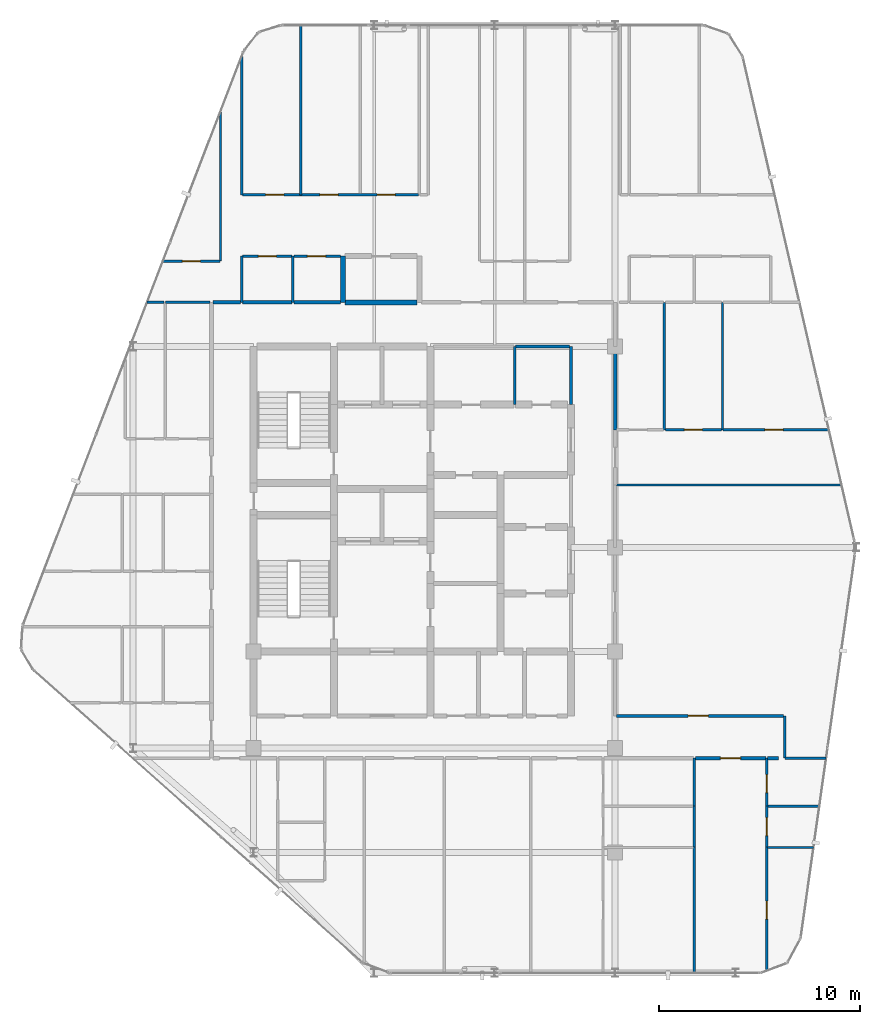
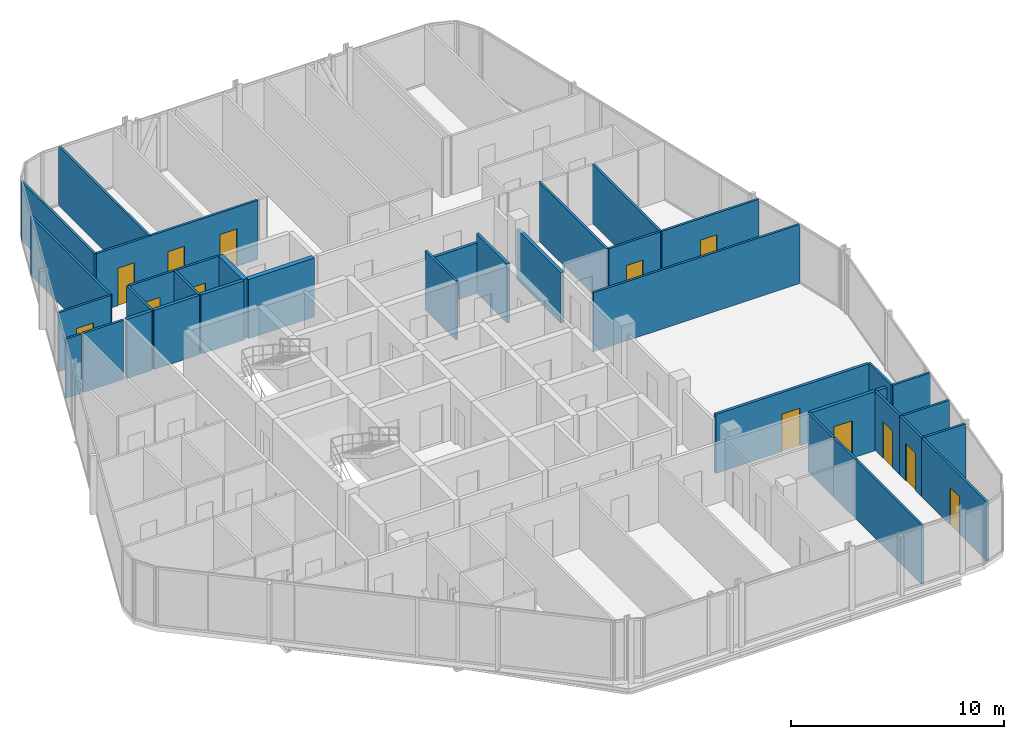
# One storey, part 25 of 27: 38 walls, 13 doors, 13 openings.
"""IFC4 building model written with IfcOpenShell, lengths in metres."""

from ifc_helpers import new_model, si_unit, direction, frame, frame_2d, origin, place, context, subcontext, project, spatial, rectangle, extrude, material, layer, layer_set, type_object, element, fill, save


model = new_model("IFC4")

# Units and contexts
model_context = context("Model", 3, precision=1e-05, world=origin(), true_north=direction((0.0, 1.0)))
body_context = subcontext(model_context, "Body", "Model", "MODEL_VIEW")
ifc_project = project(units=[si_unit("LENGTHUNIT", "METRE"), si_unit("AREAUNIT", "SQUARE_METRE"), si_unit("VOLUMEUNIT", "CUBIC_METRE"), si_unit("PLANEANGLEUNIT", "RADIAN"), si_unit("MASSUNIT", "GRAM", prefix="KILO")], contexts=[model_context])

# Site, building, storey
site_placement = place(None, origin())
site = spatial("IfcSite", under=ifc_project, at=site_placement, CompositionType="ELEMENT")
building_placement = place(site_placement, origin())
building = spatial("IfcBuilding", under=site, at=building_placement, Name="Keshet Zoharim Tower", CompositionType="ELEMENT")
storey_placement = place(building_placement, frame((0.0, 0.0, 273.199951171875)))
storey = spatial("IfcBuildingStorey", under=building, at=storey_placement, Name="L68", CompositionType="ELEMENT", Elevation=273.199951171875)

# Wall
ifc_material_1 = material(Name="Gypsum Plasterboard", Category="gypsum")
ifc_layer_1 = layer(ifc_material_1, 0.14990234375)
ifc_layer_set_1 = layer_set([ifc_layer_1], Name="Gypsum Plasterboard")
wall_type_1 = type_object("IfcWallType", Name="WL-CLIN-150", PredefinedType="STANDARD", material=ifc_layer_set_1)
wall_1_placement = place(storey_placement, frame((30.800048828125, 35.0, 0.0), z_axis=(0.0, 0.0, 1.0), x_axis=(0.0, 1.0, 0.0)))
element("IfcWall", 1, at=wall_1_placement, inside=storey, type_object=wall_type_1, Name="L68 Interior Wall 064", PredefinedType="STANDARD", context=body_context, shape_type="SweptSolid", body=[
    extrude(rectangle(XDim=2.89990234375, YDim=0.14990234375, at=frame_2d((1.449951171875, 0.0))), origin(), (0.0, 0.0, 1.0), 3.39013671875),
])

# Wall, opening, door
wall_2_placement = place(storey_placement, frame((33.06005859375, 19.5, 0.0), z_axis=(0.0, 0.0, 1.0), x_axis=(1.0, 0.0, 0.0)))
wall_2 = element("IfcWall", 2, at=wall_2_placement, inside=storey, type_object=wall_type_1, Name="L68 Interior Wall 107", PredefinedType="STANDARD", context=body_context, shape_type="SweptSolid", body=[
    extrude(rectangle(XDim=8.322998046875, YDim=0.14990234375, at=frame_2d((4.16162109375, 0.0))), origin(), (0.0, 0.0, 1.0), 3.39013671875),
])
opening_1_placement = place(wall_2_placement, frame((3.5830078125, 0.0, 0.0)))
opening_1 = element("IfcOpeningElement", 3, at=opening_1_placement, cuts=wall_2, Name="Opening D-F310", PredefinedType="OPENING", context=body_context, shape_type="SweptSolid", body=[
    extrude(rectangle(XDim=1.0, YDim=2.14990234375, at=frame_2d((0.5, 1.074951171875))), frame((0.0, 0.0849609375, 0.0), z_axis=(0.0, -1.0, 0.0), x_axis=(1.0, 0.0, 0.0)), (0.0, 0.0, 1.0), 0.169921875),
])
ifc_material_2 = material(Name="Hardwood Timber", Category="wood")
door_type_1 = type_object("IfcDoorType", Name="DR-FD30-100", OperationType="NOTDEFINED", PredefinedType="DOOR", material=ifc_material_2)
door_1_placement = place(opening_1_placement, origin())
door_1 = element("IfcDoor", 4, at=door_1_placement, inside=storey, type_object=door_type_1, Name="L68 South West Residents Services Suite Door 2", OperationType="SINGLE_SWING_LEFT", OverallHeight=2.14990234375, OverallWidth=1.0, PredefinedType="DOOR", context=body_context, shape_type="SweptSolid", body=[
    extrude(rectangle(XDim=1.0, YDim=2.14990234375, at=frame_2d((0.5, 1.074951171875))), frame((0.0, 0.02490234375, 0.0), z_axis=(0.0, -1.0, 0.0), x_axis=(1.0, 0.0, 0.0)), (0.0, 0.0, 1.0), 0.050048828125),
])
fill(opening_1, door_1)

# Walls
wall_3_placement = place(storey_placement, frame((28.044921875, 37.89990234375, 0.0), z_axis=(0.0, 0.0, 1.0), x_axis=(1.0, 0.0, 0.0)))
element("IfcWall", 5, at=wall_3_placement, inside=storey, type_object=wall_type_1, Name="L68 Interior Wall 147", PredefinedType="STANDARD", context=body_context, shape_type="SweptSolid", body=[
    extrude(rectangle(XDim=2.695068359375, YDim=0.14990234375, at=frame_2d((1.34765625, 0.0))), origin(), (0.0, 0.0, 1.0), 2.89013671875),
])
ifc_layer_2 = layer(ifc_material_1, 0.179931640625)
ifc_layer_set_2 = layer_set([ifc_layer_2], Name="Gypsum Plasterboard")
wall_type_2 = type_object("IfcWallType", Name="WL-CORR-180", PredefinedType="STANDARD", material=ifc_layer_set_2)
wall_4_placement = place(storey_placement, frame((33.0, 33.75, 0.0), z_axis=(0.0, 0.0, 1.0), x_axis=(0.0, 1.0, 0.0)))
element("IfcWall", 6, at=wall_4_placement, inside=storey, type_object=wall_type_2, Name="L68 Interior Wall 070", PredefinedType="STANDARD", context=body_context, shape_type="SweptSolid", body=[
    extrude(rectangle(XDim=4.14990234375, YDim=0.179931640625, at=frame_2d((2.074951171875, 0.0))), origin(), (0.0, 0.0, 1.0), 2.89013671875),
])

# Wall, opening, door
wall_5_placement = place(storey_placement, frame((36.9951171875, 17.39990234375, 0.0), z_axis=(0.0, 0.0, 1.0), x_axis=(1.0, 0.0, 0.0)))
wall_5 = element("IfcWall", 7, at=wall_5_placement, inside=storey, type_object=wall_type_2, Name="L68 Interior Wall 100", PredefinedType="STANDARD", context=body_context, shape_type="SweptSolid", body=[
    extrude(rectangle(XDim=3.509765625, YDim=0.179931640625, at=frame_2d((1.7548828125, 0.0))), origin(), (0.0, 0.0, 1.0), 3.39013671875),
])
opening_2_placement = place(wall_5_placement, frame((1.2548828125, 0.0, 0.0)))
opening_2 = element("IfcOpeningElement", 8, at=opening_2_placement, cuts=wall_5, Name="Opening D-F310", PredefinedType="OPENING", context=body_context, shape_type="SweptSolid", body=[
    extrude(rectangle(XDim=1.0, YDim=2.14990234375, at=frame_2d((0.5, 1.074951171875))), frame((0.0, 0.10009765625, 0.0), z_axis=(0.0, -1.0, 0.0), x_axis=(1.0, 0.0, 0.0)), (0.0, 0.0, 1.0), 0.199951171875),
])
door_2_placement = place(opening_2_placement, origin())
door_2 = element("IfcDoor", 9, at=door_2_placement, inside=storey, type_object=door_type_1, Name="Apartment 6803 Entrance Door", OperationType="SINGLE_SWING_LEFT", OverallHeight=2.14990234375, OverallWidth=1.0, PredefinedType="DOOR", context=body_context, shape_type="SweptSolid", body=[
    extrude(rectangle(XDim=1.0, YDim=2.14990234375, at=frame_2d((0.5, 1.074951171875))), frame((0.0, 0.02490234375, 0.0), z_axis=(0.0, -1.0, 0.0), x_axis=(1.0, 0.0, 0.0)), (0.0, 0.0, 1.0), 0.050048828125),
])
fill(opening_2, door_2)

# Walls
wall_6_placement = place(storey_placement, frame((40.594970703125, 17.39990234375, 0.0), z_axis=(0.0, 0.0, 1.0), x_axis=(1.0, 0.0, 0.0)))
element("IfcWall", 10, at=wall_6_placement, inside=storey, type_object=wall_type_2, Name="L68 Interior Wall 101", PredefinedType="STANDARD", context=body_context, shape_type="SweptSolid", body=[
    extrude(rectangle(XDim=0.534912109375, YDim=0.179931640625, at=frame_2d((0.267578125, 0.0))), origin(), (0.0, 0.0, 1.0), 3.39013671875),
])
wall_7_placement = place(storey_placement, frame((12.97509765625, 40.10009765625, 0.0), z_axis=(0.0, 0.0, 1.0), x_axis=(1.0, 0.0, 0.0)))
element("IfcWall", 11, at=wall_7_placement, inside=storey, type_object=wall_type_2, Name="L68 Interior Wall 150", PredefinedType="STANDARD", context=body_context, shape_type="SweptSolid", body=[
    extrude(rectangle(XDim=1.3798828125, YDim=0.179931640625, at=frame_2d((0.68994140625, 0.0))), origin(), (0.0, 0.0, 1.0), 3.39013671875),
])
wall_8_placement = place(storey_placement, frame((14.445068359375, 40.10009765625, 0.0), z_axis=(0.0, 0.0, 1.0), x_axis=(1.0, 0.0, 0.0)))
element("IfcWall", 12, at=wall_8_placement, inside=storey, type_object=wall_type_2, Name="L68 Interior Wall 151", PredefinedType="STANDARD", context=body_context, shape_type="SweptSolid", body=[
    extrude(rectangle(XDim=2.475830078125, YDim=0.179931640625, at=frame_2d((1.23779296875, 0.0))), origin(), (0.0, 0.0, 1.0), 3.39013671875),
])
wall_9_placement = place(storey_placement, frame((17.010986328125, 40.10009765625, 0.0), z_axis=(0.0, 0.0, 1.0), x_axis=(1.0, 0.0, 0.0)))
element("IfcWall", 13, at=wall_9_placement, inside=storey, type_object=wall_type_2, Name="L68 Interior Wall 152", PredefinedType="STANDARD", context=body_context, shape_type="SweptSolid", body=[
    extrude(rectangle(XDim=2.322998046875, YDim=0.179931640625, at=frame_2d((1.16162109375, 0.0))), origin(), (0.0, 0.0, 1.0), 3.39013671875),
])
ifc_material_3 = material(Name="Concrete C50/60", Category="concrete")
ifc_layer_3 = layer(ifc_material_3, 0.25)
ifc_layer_set_3 = layer_set([ifc_layer_3], Name="Concrete C50/60")
wall_type_3 = type_object("IfcWallType", Name="WL-MAMAD-250", PredefinedType="STANDARD", material=ifc_layer_set_3)
wall_10_placement = place(storey_placement, frame((19.449951171875, 40.10009765625, 0.0), z_axis=(0.0, 0.0, 1.0), x_axis=(0.0, 1.0, 0.0)))
element("IfcWall", 14, at=wall_10_placement, inside=storey, type_object=wall_type_3, Name="L68 Interior Wall 031", PredefinedType="STANDARD", context=body_context, shape_type="SweptSolid", body=[
    extrude(rectangle(XDim=2.2998046875, YDim=0.25, at=frame_2d((1.14990234375, 0.0))), origin(), (0.0, 0.0, 1.0), 3.39013671875),
])
wall_11_placement = place(storey_placement, frame((19.553955078125, 40.10009765625, 0.0), z_axis=(0.0, 0.0, 1.0), x_axis=(1.0, 0.0, 0.0)))
element("IfcWall", 15, at=wall_11_placement, inside=storey, type_object=wall_type_3, Name="L68 Interior Wall 153", PredefinedType="STANDARD", context=body_context, shape_type="SweptSolid", body=[
    extrude(rectangle(XDim=3.5859375, YDim=0.25, at=frame_2d((1.79296875, 0.0))), origin(), (0.0, 0.0, 1.0), 3.39013671875),
])
ifc_layer_4 = layer(ifc_material_1, 0.1201171875)
ifc_layer_set_4 = layer_set([ifc_layer_4], Name="Gypsum Plasterboard")
wall_type_4 = type_object("IfcWallType", Name="WL-PART-120", PredefinedType="PARTITIONING", material=ifc_layer_set_4)
wall_12_placement = place(storey_placement, frame((13.35009765625, 42.14990234375, 0.0), z_axis=(0.0, 0.0, 1.0), x_axis=(0.0, 1.0, 0.0)))
element("IfcWall", 16, at=wall_12_placement, inside=storey, type_object=wall_type_4, Name="L68 Interior Wall 013", PredefinedType="PARTITIONING", context=body_context, shape_type="SweptSolid", body=[
    extrude(rectangle(XDim=7.4501953125, YDim=0.1201171875, at=frame_2d((3.72509765625, 0.0))), origin(), (0.0, 0.0, 1.0), 3.39013671875),
])
wall_13_placement = place(storey_placement, frame((14.39990234375, 40.10009765625, 0.0), z_axis=(0.0, 0.0, 1.0), x_axis=(0.0, 1.0, 0.0)))
element("IfcWall", 17, at=wall_13_placement, inside=storey, type_object=wall_type_4, Name="L68 Interior Wall 014", PredefinedType="PARTITIONING", context=body_context, shape_type="SweptSolid", body=[
    extrude(rectangle(XDim=2.2998046875, YDim=0.1201171875, at=frame_2d((1.14990234375, 0.0))), origin(), (0.0, 0.0, 1.0), 3.39013671875),
])
wall_14_placement = place(storey_placement, frame((14.39990234375, 45.449951171875, 0.0), z_axis=(0.0, 0.0, 1.0), x_axis=(0.0, 1.0, 0.0)))
element("IfcWall", 18, at=wall_14_placement, inside=storey, type_object=wall_type_4, Name="L68 Interior Wall 015", PredefinedType="PARTITIONING", context=body_context, shape_type="SweptSolid", body=[
    extrude(rectangle(XDim=6.880126953125, YDim=0.1201171875, at=frame_2d((3.43994140625, 0.0))), origin(), (0.0, 0.0, 1.0), 3.39013671875),
])
wall_15_placement = place(storey_placement, frame((17.35009765625, 45.449951171875, 0.0), z_axis=(0.0, 0.0, 1.0), x_axis=(0.0, 1.0, 0.0)))
element("IfcWall", 19, at=wall_15_placement, inside=storey, type_object=wall_type_4, Name="L68 Interior Wall 023", PredefinedType="PARTITIONING", context=body_context, shape_type="SweptSolid", body=[
    extrude(rectangle(XDim=8.43994140625, YDim=0.1201171875, at=frame_2d((4.219970703125, 0.0))), origin(), (0.0, 0.0, 1.0), 3.39013671875),
])
wall_16_placement = place(storey_placement, frame((28.0, 35.0, 0.0), z_axis=(0.0, 0.0, 1.0), x_axis=(0.0, 1.0, 0.0)))
element("IfcWall", 20, at=wall_16_placement, inside=storey, type_object=wall_type_4, Name="L68 Interior Wall 053", PredefinedType="PARTITIONING", context=body_context, shape_type="SweptSolid", body=[
    extrude(rectangle(XDim=2.89990234375, YDim=0.1201171875, at=frame_2d((1.449951171875, 0.0))), origin(), (0.0, 0.0, 1.0), 3.39013671875),
])
wall_17_placement = place(storey_placement, frame((36.949951171875, 6.7099609375, 0.0), z_axis=(0.0, 0.0, 1.0), x_axis=(0.0, 1.0, 0.0)))
element("IfcWall", 21, at=wall_17_placement, inside=storey, type_object=wall_type_4, Name="L68 Interior Wall 075", PredefinedType="PARTITIONING", context=body_context, shape_type="SweptSolid", body=[
    extrude(rectangle(XDim=6.260009765625, YDim=0.1201171875, at=frame_2d((3.1298828125, 0.0))), origin(), (0.0, 0.0, 1.0), 3.39013671875),
])
wall_18_placement = place(storey_placement, frame((36.949951171875, 12.969970703125, 0.0), z_axis=(0.0, 0.0, 1.0), x_axis=(0.0, 1.0, 0.0)))
element("IfcWall", 22, at=wall_18_placement, inside=storey, type_object=wall_type_4, Name="L68 Interior Wall 076", PredefinedType="PARTITIONING", context=body_context, shape_type="SweptSolid", body=[
    extrude(rectangle(XDim=2.0380859375, YDim=0.1201171875, at=frame_2d((1.01904296875, 0.0))), origin(), (0.0, 0.0, 1.0), 3.39013671875),
])

# Wall, opening, door
wall_19_placement = place(storey_placement, frame((40.550048828125, 6.81689453125, 0.0), z_axis=(0.0, 0.0, 1.0), x_axis=(0.0, 1.0, 0.0)))
wall_19 = element("IfcWall", 23, at=wall_19_placement, inside=storey, type_object=wall_type_4, Name="L68 Interior Wall 081", PredefinedType="PARTITIONING", context=body_context, shape_type="SweptSolid", body=[
    extrude(rectangle(XDim=6.153076171875, YDim=0.1201171875, at=frame_2d((3.07666015625, 0.0))), origin(), (0.0, 0.0, 1.0), 3.39013671875),
])
opening_3_placement = place(wall_19_placement, frame((2.56005859375, 0.0, 0.0)))
opening_3 = element("IfcOpeningElement", 24, at=opening_3_placement, cuts=wall_19, Name="Opening D-IN90", PredefinedType="OPENING", context=body_context, shape_type="SweptSolid", body=[
    extrude(rectangle(XDim=0.89990234375, YDim=2.14990234375, at=frame_2d((0.449951171875, 1.074951171875))), frame((0.0, 0.070068359375, 0.0), z_axis=(0.0, -1.0, 0.0), x_axis=(1.0, 0.0, 0.0)), (0.0, 0.0, 1.0), 0.14013671875),
])
door_type_2 = type_object("IfcDoorType", Name="DR-INT-090", OperationType="NOTDEFINED", PredefinedType="DOOR", material=ifc_material_2)
door_3_placement = place(opening_3_placement, origin())
door_3 = element("IfcDoor", 25, at=door_3_placement, inside=storey, type_object=door_type_2, Name="Apartment 6803 Bedroom 1 Door", OperationType="SINGLE_SWING_RIGHT", OverallHeight=2.14990234375, OverallWidth=0.89990234375, PredefinedType="DOOR", context=body_context, shape_type="SweptSolid", body=[
    extrude(rectangle(XDim=0.89990234375, YDim=2.14990234375, at=frame_2d((0.449951171875, 1.074951171875))), frame((0.0, 0.02490234375, 0.0), z_axis=(0.0, -1.0, 0.0), x_axis=(1.0, 0.0, 0.0)), (0.0, 0.0, 1.0), 0.050048828125),
])
fill(opening_3, door_3)

wall_20_placement = place(storey_placement, frame((40.550048828125, 12.969970703125, 0.0), z_axis=(0.0, 0.0, 1.0), x_axis=(0.0, 1.0, 0.0)))
wall_20 = element("IfcWall", 26, at=wall_20_placement, inside=storey, type_object=wall_type_4, Name="L68 Interior Wall 082", PredefinedType="PARTITIONING", context=body_context, shape_type="SweptSolid", body=[
    extrude(rectangle(XDim=2.0380859375, YDim=0.1201171875, at=frame_2d((1.01904296875, 0.0))), origin(), (0.0, 0.0, 1.0), 3.39013671875),
])
opening_4_placement = place(wall_20_placement, frame((0.569091796875, 0.0, 0.0)))
opening_4 = element("IfcOpeningElement", 27, at=opening_4_placement, cuts=wall_20, Name="Opening D-IN90", PredefinedType="OPENING", context=body_context, shape_type="SweptSolid", body=[
    extrude(rectangle(XDim=0.89990234375, YDim=2.14990234375, at=frame_2d((0.449951171875, 1.074951171875))), frame((0.0, 0.070068359375, 0.0), z_axis=(0.0, -1.0, 0.0), x_axis=(1.0, 0.0, 0.0)), (0.0, 0.0, 1.0), 0.14013671875),
])
door_4_placement = place(opening_4_placement, origin())
door_4 = element("IfcDoor", 28, at=door_4_placement, inside=storey, type_object=door_type_2, Name="Apartment 6803 Kitchen Door", OperationType="SINGLE_SWING_LEFT", OverallHeight=2.14990234375, OverallWidth=0.89990234375, PredefinedType="DOOR", context=body_context, shape_type="SweptSolid", body=[
    extrude(rectangle(XDim=0.89990234375, YDim=2.14990234375, at=frame_2d((0.449951171875, 1.074951171875))), frame((0.0, 0.02490234375, 0.0), z_axis=(0.0, -1.0, 0.0), x_axis=(1.0, 0.0, 0.0)), (0.0, 0.0, 1.0), 0.050048828125),
])
fill(opening_4, door_4)

# Walls
wall_21_placement = place(storey_placement, frame((41.449951171875, 17.39990234375, 0.0), z_axis=(0.0, 0.0, 1.0), x_axis=(0.0, 1.0, 0.0)))
element("IfcWall", 29, at=wall_21_placement, inside=storey, type_object=wall_type_4, Name="L68 Interior Wall 085", PredefinedType="PARTITIONING", context=body_context, shape_type="SweptSolid", body=[
    extrude(rectangle(XDim=2.09912109375, YDim=0.1201171875, at=frame_2d((1.049560546875, 0.0))), origin(), (0.0, 0.0, 1.0), 3.39013671875),
])
wall_22_placement = place(storey_placement, frame((40.594970703125, 12.949951171875, 0.0), z_axis=(0.0, 0.0, 1.0), x_axis=(1.0, 0.0, 0.0)))
element("IfcWall", 30, at=wall_22_placement, inside=storey, type_object=wall_type_4, Name="L68 Interior Wall 088", PredefinedType="PARTITIONING", context=body_context, shape_type="SweptSolid", body=[
    extrude(rectangle(XDim=2.279052734375, YDim=0.1201171875, at=frame_2d((1.1396484375, 0.0))), origin(), (0.0, 0.0, 1.0), 3.39013671875),
])
wall_23_placement = place(storey_placement, frame((33.074951171875, 31.0, 0.0), z_axis=(0.0, 0.0, 1.0), x_axis=(1.0, 0.0, 0.0)))
element("IfcWall", 31, at=wall_23_placement, inside=storey, type_object=wall_type_4, Name="L68 Interior Wall 132", PredefinedType="PARTITIONING", context=body_context, shape_type="SweptSolid", body=[
    extrude(rectangle(XDim=11.198974609375, YDim=0.1201171875, at=frame_2d((5.599609375, 0.0))), origin(), (0.0, 0.0, 1.0), 3.39013671875),
])

# Wall, opening, door
wall_24_placement = place(storey_placement, frame((38.383056640625, 33.75, 0.0), z_axis=(0.0, 0.0, 1.0), x_axis=(1.0, 0.0, 0.0)))
wall_24 = element("IfcWall", 32, at=wall_24_placement, inside=storey, type_object=wall_type_4, Name="L68 Interior Wall 140", PredefinedType="PARTITIONING", context=body_context, shape_type="SweptSolid", body=[
    extrude(rectangle(XDim=5.2568359375, YDim=0.1201171875, at=frame_2d((2.62841796875, 0.0))), origin(), (0.0, 0.0, 1.0), 3.39013671875),
])
opening_5_placement = place(wall_24_placement, frame((2.0810546875, 0.0, 0.0)))
opening_5 = element("IfcOpeningElement", 33, at=opening_5_placement, cuts=wall_24, Name="Opening D-IN90", PredefinedType="OPENING", context=body_context, shape_type="SweptSolid", body=[
    extrude(rectangle(XDim=0.89990234375, YDim=2.14990234375, at=frame_2d((0.449951171875, 1.074951171875))), frame((0.0, 0.070068359375, 0.0), z_axis=(0.0, -1.0, 0.0), x_axis=(1.0, 0.0, 0.0)), (0.0, 0.0, 1.0), 0.14013671875),
])
door_5_placement = place(opening_5_placement, origin())
door_5 = element("IfcDoor", 34, at=door_5_placement, inside=storey, type_object=door_type_2, Name="Apartment 6809 Bedroom 1 Door", OperationType="SINGLE_SWING_RIGHT", OverallHeight=2.14990234375, OverallWidth=0.89990234375, PredefinedType="DOOR", context=body_context, shape_type="SweptSolid", body=[
    extrude(rectangle(XDim=0.89990234375, YDim=2.14990234375, at=frame_2d((0.449951171875, 1.074951171875))), frame((0.0, 0.02490234375, 0.0), z_axis=(0.0, -1.0, 0.0), x_axis=(1.0, 0.0, 0.0)), (0.0, 0.0, 1.0), 0.050048828125),
])
fill(opening_5, door_5)

# Wall
wall_25_placement = place(storey_placement, frame((9.701904296875, 40.10009765625, 0.0), z_axis=(0.0, 0.0, 1.0), x_axis=(1.0, 0.0, 0.0)))
element("IfcWall", 35, at=wall_25_placement, inside=storey, type_object=wall_type_4, Name="L68 Interior Wall 148", PredefinedType="PARTITIONING", context=body_context, shape_type="SweptSolid", body=[
    extrude(rectangle(XDim=0.8310546875, YDim=0.1201171875, at=frame_2d((0.41552734375, 0.0))), origin(), (0.0, 0.0, 1.0), 3.39013671875),
])

# Wall, opening, door
wall_26_placement = place(storey_placement, frame((10.490966796875, 42.14990234375, 0.0), z_axis=(0.0, 0.0, 1.0), x_axis=(1.0, 0.0, 0.0)))
wall_26 = element("IfcWall", 36, at=wall_26_placement, inside=storey, type_object=wall_type_4, Name="L68 Interior Wall 161", PredefinedType="PARTITIONING", context=body_context, shape_type="SweptSolid", body=[
    extrude(rectangle(XDim=2.828125, YDim=0.1201171875, at=frame_2d((1.4140625, 0.0))), origin(), (0.0, 0.0, 1.0), 3.39013671875),
])
opening_6_placement = place(wall_26_placement, frame((0.962890625, 0.0, 0.0)))
opening_6 = element("IfcOpeningElement", 37, at=opening_6_placement, cuts=wall_26, Name="Opening D-IN90", PredefinedType="OPENING", context=body_context, shape_type="SweptSolid", body=[
    extrude(rectangle(XDim=0.89990234375, YDim=2.14990234375, at=frame_2d((0.449951171875, 1.074951171875))), frame((0.0, 0.070068359375, 0.0), z_axis=(0.0, -1.0, 0.0), x_axis=(1.0, 0.0, 0.0)), (0.0, 0.0, 1.0), 0.14013671875),
])
door_6_placement = place(opening_6_placement, origin())
door_6 = element("IfcDoor", 38, at=door_6_placement, inside=storey, type_object=door_type_2, Name="Apartment 6804 Home Study Room Door", OperationType="SINGLE_SWING_LEFT", OverallHeight=2.14990234375, OverallWidth=0.89990234375, PredefinedType="DOOR", context=body_context, shape_type="SweptSolid", body=[
    extrude(rectangle(XDim=0.89990234375, YDim=2.14990234375, at=frame_2d((0.449951171875, 1.074951171875))), frame((0.0, 0.02490234375, 0.0), z_axis=(0.0, -1.0, 0.0), x_axis=(1.0, 0.0, 0.0)), (0.0, 0.0, 1.0), 0.050048828125),
])
fill(opening_6, door_6)

wall_27_placement = place(storey_placement, frame((14.445068359375, 42.39990234375, 0.0), z_axis=(0.0, 0.0, 1.0), x_axis=(1.0, 0.0, 0.0)))
wall_27 = element("IfcWall", 39, at=wall_27_placement, inside=storey, type_object=wall_type_4, Name="L68 Interior Wall 163", PredefinedType="PARTITIONING", context=body_context, shape_type="SweptSolid", body=[
    extrude(rectangle(XDim=2.475830078125, YDim=0.1201171875, at=frame_2d((1.23779296875, 0.0))), origin(), (0.0, 0.0, 1.0), 3.39013671875),
])
opening_7_placement = place(wall_27_placement, frame((0.7880859375, 0.0, 0.0)))
opening_7 = element("IfcOpeningElement", 40, at=opening_7_placement, cuts=wall_27, Name="Opening D-IN90", PredefinedType="OPENING", context=body_context, shape_type="SweptSolid", body=[
    extrude(rectangle(XDim=0.89990234375, YDim=2.14990234375, at=frame_2d((0.449951171875, 1.074951171875))), frame((0.0, 0.070068359375, 0.0), z_axis=(0.0, -1.0, 0.0), x_axis=(1.0, 0.0, 0.0)), (0.0, 0.0, 1.0), 0.14013671875),
])
door_7_placement = place(opening_7_placement, origin())
door_7 = element("IfcDoor", 41, at=door_7_placement, inside=storey, type_object=door_type_2, Name="Apartment 6804 Kitchen Door", OperationType="SINGLE_SWING_RIGHT", OverallHeight=2.14990234375, OverallWidth=0.89990234375, PredefinedType="DOOR", context=body_context, shape_type="SweptSolid", body=[
    extrude(rectangle(XDim=0.89990234375, YDim=2.14990234375, at=frame_2d((0.449951171875, 1.074951171875))), frame((0.0, 0.02490234375, 0.0), z_axis=(0.0, -1.0, 0.0), x_axis=(1.0, 0.0, 0.0)), (0.0, 0.0, 1.0), 0.050048828125),
])
fill(opening_7, door_7)

# Wall, openings, doors
wall_28_placement = place(storey_placement, frame((14.445068359375, 45.449951171875, 0.0), z_axis=(0.0, 0.0, 1.0), x_axis=(1.0, 0.0, 0.0)))
wall_28 = element("IfcWall", 42, at=wall_28_placement, inside=storey, type_object=wall_type_4, Name="L68 Interior Wall 168", PredefinedType="PARTITIONING", context=body_context, shape_type="SweptSolid", body=[
    extrude(rectangle(XDim=8.760009765625, YDim=0.1201171875, at=frame_2d((4.3798828125, 0.0))), origin(), (0.0, 0.0, 1.0), 3.39013671875),
])
opening_8_placement = place(wall_28_placement, frame((1.155029296875, 0.0, 0.0)))
opening_8 = element("IfcOpeningElement", 43, at=opening_8_placement, cuts=wall_28, Name="Opening D-IN90", PredefinedType="OPENING", context=body_context, shape_type="SweptSolid", body=[
    extrude(rectangle(XDim=0.89990234375, YDim=2.14990234375, at=frame_2d((0.449951171875, 1.074951171875))), frame((0.0, 0.070068359375, 0.0), z_axis=(0.0, -1.0, 0.0), x_axis=(1.0, 0.0, 0.0)), (0.0, 0.0, 1.0), 0.14013671875),
])
opening_9_placement = place(wall_28_placement, frame((3.85888671875, 0.0, 0.0)))
opening_9 = element("IfcOpeningElement", 44, at=opening_9_placement, cuts=wall_28, Name="Opening D-IN90", PredefinedType="OPENING", context=body_context, shape_type="SweptSolid", body=[
    extrude(rectangle(XDim=0.89990234375, YDim=2.14990234375, at=frame_2d((0.449951171875, 1.074951171875))), frame((0.0, 0.070068359375, 0.0), z_axis=(0.0, -1.0, 0.0), x_axis=(1.0, 0.0, 0.0)), (0.0, 0.0, 1.0), 0.14013671875),
])
opening_10_placement = place(wall_28_placement, frame((6.705078125, 0.0, 0.0)))
opening_10 = element("IfcOpeningElement", 45, at=opening_10_placement, cuts=wall_28, Name="Opening D-IN90", PredefinedType="OPENING", context=body_context, shape_type="SweptSolid", body=[
    extrude(rectangle(XDim=0.89990234375, YDim=2.14990234375, at=frame_2d((0.449951171875, 1.074951171875))), frame((0.0, 0.070068359375, 0.0), z_axis=(0.0, -1.0, 0.0), x_axis=(1.0, 0.0, 0.0)), (0.0, 0.0, 1.0), 0.14013671875),
])
door_8_placement = place(opening_8_placement, origin())
door_8 = element("IfcDoor", 46, at=door_8_placement, inside=storey, type_object=door_type_2, Name="Apartment 6804 Bedroom 1 Door", OperationType="SINGLE_SWING_LEFT", OverallHeight=2.14990234375, OverallWidth=0.89990234375, PredefinedType="DOOR", context=body_context, shape_type="SweptSolid", body=[
    extrude(rectangle(XDim=0.89990234375, YDim=2.14990234375, at=frame_2d((0.449951171875, 1.074951171875))), frame((0.0, 0.02490234375, 0.0), z_axis=(0.0, -1.0, 0.0), x_axis=(1.0, 0.0, 0.0)), (0.0, 0.0, 1.0), 0.050048828125),
])
fill(opening_8, door_8)
door_9_placement = place(opening_9_placement, origin())
door_9 = element("IfcDoor", 47, at=door_9_placement, inside=storey, type_object=door_type_2, Name="Apartment 6804 Bedroom 2 Door", OperationType="SINGLE_SWING_RIGHT", OverallHeight=2.14990234375, OverallWidth=0.89990234375, PredefinedType="DOOR", context=body_context, shape_type="SweptSolid", body=[
    extrude(rectangle(XDim=0.89990234375, YDim=2.14990234375, at=frame_2d((0.449951171875, 1.074951171875))), frame((0.0, 0.02490234375, 0.0), z_axis=(0.0, -1.0, 0.0), x_axis=(1.0, 0.0, 0.0)), (0.0, 0.0, 1.0), 0.050048828125),
])
fill(opening_9, door_9)
door_10_placement = place(opening_10_placement, origin())
door_10 = element("IfcDoor", 48, at=door_10_placement, inside=storey, type_object=door_type_2, Name="Apartment 6804 Bedroom 3 Door", OperationType="SINGLE_SWING_LEFT", OverallHeight=2.14990234375, OverallWidth=0.89990234375, PredefinedType="DOOR", context=body_context, shape_type="SweptSolid", body=[
    extrude(rectangle(XDim=0.89990234375, YDim=2.14990234375, at=frame_2d((0.449951171875, 1.074951171875))), frame((0.0, 0.02490234375, 0.0), z_axis=(0.0, -1.0, 0.0), x_axis=(1.0, 0.0, 0.0)), (0.0, 0.0, 1.0), 0.050048828125),
])
fill(opening_10, door_10)

# Walls
ifc_layer_5 = layer(ifc_material_1, 0.1201171875)
ifc_layer_set_5 = layer_set([ifc_layer_5], Name="Gypsum Plasterboard")
wall_type_5 = type_object("IfcWallType", Name="WL-WET-120", PredefinedType="PARTITIONING", material=ifc_layer_set_5)
wall_29_placement = place(storey_placement, frame((16.949951171875, 40.10009765625, 0.0), z_axis=(0.0, 0.0, 1.0), x_axis=(0.0, 1.0, 0.0)))
element("IfcWall", 49, at=wall_29_placement, inside=storey, type_object=wall_type_5, Name="L68 Interior Wall 022", PredefinedType="PARTITIONING", context=body_context, shape_type="SweptSolid", body=[
    extrude(rectangle(XDim=2.2998046875, YDim=0.1201171875, at=frame_2d((1.14990234375, 0.0))), origin(), (0.0, 0.0, 1.0), 3.39013671875),
])
wall_30_placement = place(storey_placement, frame((35.449951171875, 33.75, 0.0), z_axis=(0.0, 0.0, 1.0), x_axis=(0.0, 1.0, 0.0)))
element("IfcWall", 50, at=wall_30_placement, inside=storey, type_object=wall_type_5, Name="L68 Interior Wall 074", PredefinedType="PARTITIONING", context=body_context, shape_type="SweptSolid", body=[
    extrude(rectangle(XDim=6.35009765625, YDim=0.1201171875, at=frame_2d((3.175048828125, 0.0))), origin(), (0.0, 0.0, 1.0), 3.39013671875),
])
wall_31_placement = place(storey_placement, frame((36.949951171875, 15.008056640625, 0.0), z_axis=(0.0, 0.0, 1.0), x_axis=(0.0, 1.0, 0.0)))
element("IfcWall", 51, at=wall_31_placement, inside=storey, type_object=wall_type_5, Name="L68 Interior Wall 077", PredefinedType="PARTITIONING", context=body_context, shape_type="SweptSolid", body=[
    extrude(rectangle(XDim=2.391845703125, YDim=0.1201171875, at=frame_2d((1.19580078125, 0.0))), origin(), (0.0, 0.0, 1.0), 3.39013671875),
])
wall_32_placement = place(storey_placement, frame((38.35009765625, 33.75, 0.0), z_axis=(0.0, 0.0, 1.0), x_axis=(0.0, 1.0, 0.0)))
element("IfcWall", 52, at=wall_32_placement, inside=storey, type_object=wall_type_5, Name="L68 Interior Wall 080", PredefinedType="PARTITIONING", context=body_context, shape_type="SweptSolid", body=[
    extrude(rectangle(XDim=6.35009765625, YDim=0.1201171875, at=frame_2d((3.175048828125, 0.0))), origin(), (0.0, 0.0, 1.0), 3.39013671875),
])

# Wall, opening, door
wall_33_placement = place(storey_placement, frame((40.550048828125, 15.008056640625, 0.0), z_axis=(0.0, 0.0, 1.0), x_axis=(0.0, 1.0, 0.0)))
wall_33 = element("IfcWall", 53, at=wall_33_placement, inside=storey, type_object=wall_type_5, Name="L68 Interior Wall 083", PredefinedType="PARTITIONING", context=body_context, shape_type="SweptSolid", body=[
    extrude(rectangle(XDim=2.391845703125, YDim=0.1201171875, at=frame_2d((1.19580078125, 0.0))), origin(), (0.0, 0.0, 1.0), 3.39013671875),
])
opening_11_placement = place(wall_33_placement, frame((0.675048828125, 0.0, 0.0)))
opening_11 = element("IfcOpeningElement", 54, at=opening_11_placement, cuts=wall_33, Name="Opening D-WT90", PredefinedType="OPENING", context=body_context, shape_type="SweptSolid", body=[
    extrude(rectangle(XDim=0.89990234375, YDim=2.10009765625, at=frame_2d((0.449951171875, 1.050048828125))), frame((0.0, 0.070068359375, 0.0), z_axis=(0.0, -1.0, 0.0), x_axis=(1.0, 0.0, 0.0)), (0.0, 0.0, 1.0), 0.14013671875),
])
door_type_3 = type_object("IfcDoorType", Name="DR-WET-090", OperationType="NOTDEFINED", PredefinedType="DOOR", material=ifc_material_2)
door_11_placement = place(opening_11_placement, origin())
door_11 = element("IfcDoor", 55, at=door_11_placement, inside=storey, type_object=door_type_3, Name="Apartment 6803 Bathroom Door", OperationType="SINGLE_SWING_RIGHT", OverallHeight=2.10009765625, OverallWidth=0.89990234375, PredefinedType="DOOR", context=body_context, shape_type="SweptSolid", body=[
    extrude(rectangle(XDim=0.89990234375, YDim=2.10009765625, at=frame_2d((0.449951171875, 1.050048828125))), frame((0.0, 0.02490234375, 0.0), z_axis=(0.0, -1.0, 0.0), x_axis=(1.0, 0.0, 0.0)), (0.0, 0.0, 1.0), 0.050048828125),
])
fill(opening_11, door_11)

# Walls
wall_34_placement = place(storey_placement, frame((40.594970703125, 15.0, 0.0), z_axis=(0.0, 0.0, 1.0), x_axis=(1.0, 0.0, 0.0)))
element("IfcWall", 56, at=wall_34_placement, inside=storey, type_object=wall_type_5, Name="L68 Interior Wall 091", PredefinedType="PARTITIONING", context=body_context, shape_type="SweptSolid", body=[
    extrude(rectangle(XDim=2.569091796875, YDim=0.1201171875, at=frame_2d((1.28466796875, 0.0))), origin(), (0.0, 0.0, 1.0), 3.39013671875),
])
wall_35_placement = place(storey_placement, frame((41.472900390625, 17.39990234375, 0.0), z_axis=(0.0, 0.0, 1.0), x_axis=(1.0, 0.0, 0.0)))
element("IfcWall", 57, at=wall_35_placement, inside=storey, type_object=wall_type_5, Name="L68 Interior Wall 102", PredefinedType="PARTITIONING", context=body_context, shape_type="SweptSolid", body=[
    extrude(rectangle(XDim=2.031005859375, YDim=0.1201171875, at=frame_2d((1.015625, 0.0))), origin(), (0.0, 0.0, 1.0), 3.39013671875),
])

# Wall, opening, door
wall_36_placement = place(storey_placement, frame((35.5, 33.75, 0.0), z_axis=(0.0, 0.0, 1.0), x_axis=(1.0, 0.0, 0.0)))
wall_36 = element("IfcWall", 58, at=wall_36_placement, inside=storey, type_object=wall_type_5, Name="L68 Interior Wall 139", PredefinedType="PARTITIONING", context=body_context, shape_type="SweptSolid", body=[
    extrude(rectangle(XDim=2.79296875, YDim=0.1201171875, at=frame_2d((1.396484375, 0.0))), origin(), (0.0, 0.0, 1.0), 3.39013671875),
])
opening_12_placement = place(wall_36_placement, frame((0.947021484375, 0.0, 0.0)))
opening_12 = element("IfcOpeningElement", 59, at=opening_12_placement, cuts=wall_36, Name="Opening D-WT90", PredefinedType="OPENING", context=body_context, shape_type="SweptSolid", body=[
    extrude(rectangle(XDim=0.89990234375, YDim=2.10009765625, at=frame_2d((0.449951171875, 1.050048828125))), frame((0.0, 0.070068359375, 0.0), z_axis=(0.0, -1.0, 0.0), x_axis=(1.0, 0.0, 0.0)), (0.0, 0.0, 1.0), 0.14013671875),
])
door_12_placement = place(opening_12_placement, origin())
door_12 = element("IfcDoor", 60, at=door_12_placement, inside=storey, type_object=door_type_3, Name="Apartment 6809 Bathroom Door", OperationType="SINGLE_SWING_LEFT", OverallHeight=2.10009765625, OverallWidth=0.89990234375, PredefinedType="DOOR", context=body_context, shape_type="SweptSolid", body=[
    extrude(rectangle(XDim=0.89990234375, YDim=2.10009765625, at=frame_2d((0.449951171875, 1.050048828125))), frame((0.0, 0.02490234375, 0.0), z_axis=(0.0, -1.0, 0.0), x_axis=(1.0, 0.0, 0.0)), (0.0, 0.0, 1.0), 0.050048828125),
])
fill(opening_12, door_12)

# Wall
wall_37_placement = place(storey_placement, frame((10.623046875, 40.10009765625, 0.0), z_axis=(0.0, 0.0, 1.0), x_axis=(1.0, 0.0, 0.0)))
element("IfcWall", 61, at=wall_37_placement, inside=storey, type_object=wall_type_5, Name="L68 Interior Wall 149", PredefinedType="PARTITIONING", context=body_context, shape_type="SweptSolid", body=[
    extrude(rectangle(XDim=2.201904296875, YDim=0.1201171875, at=frame_2d((1.10107421875, 0.0))), origin(), (0.0, 0.0, 1.0), 3.39013671875),
])

# Wall, opening, door
wall_38_placement = place(storey_placement, frame((17.010986328125, 42.39990234375, 0.0), z_axis=(0.0, 0.0, 1.0), x_axis=(1.0, 0.0, 0.0)))
wall_38 = element("IfcWall", 62, at=wall_38_placement, inside=storey, type_object=wall_type_5, Name="L68 Interior Wall 164", PredefinedType="PARTITIONING", context=body_context, shape_type="SweptSolid", body=[
    extrude(rectangle(XDim=2.322998046875, YDim=0.1201171875, at=frame_2d((1.16162109375, 0.0))), origin(), (0.0, 0.0, 1.0), 3.39013671875),
])
opening_13_placement = place(wall_38_placement, frame((0.6689453125, 0.0, 0.0)))
opening_13 = element("IfcOpeningElement", 63, at=opening_13_placement, cuts=wall_38, Name="Opening D-WT90", PredefinedType="OPENING", context=body_context, shape_type="SweptSolid", body=[
    extrude(rectangle(XDim=0.89990234375, YDim=2.10009765625, at=frame_2d((0.449951171875, 1.050048828125))), frame((0.0, 0.070068359375, 0.0), z_axis=(0.0, -1.0, 0.0), x_axis=(1.0, 0.0, 0.0)), (0.0, 0.0, 1.0), 0.14013671875),
])
door_13_placement = place(opening_13_placement, origin())
door_13 = element("IfcDoor", 64, at=door_13_placement, inside=storey, type_object=door_type_3, Name="Apartment 6804 Bathroom Door", OperationType="SINGLE_SWING_LEFT", OverallHeight=2.10009765625, OverallWidth=0.89990234375, PredefinedType="DOOR", context=body_context, shape_type="SweptSolid", body=[
    extrude(rectangle(XDim=0.89990234375, YDim=2.10009765625, at=frame_2d((0.449951171875, 1.050048828125))), frame((0.0, 0.02490234375, 0.0), z_axis=(0.0, -1.0, 0.0), x_axis=(1.0, 0.0, 0.0)), (0.0, 0.0, 1.0), 0.050048828125),
])
fill(opening_13, door_13)

save(model, "model.ifc")
